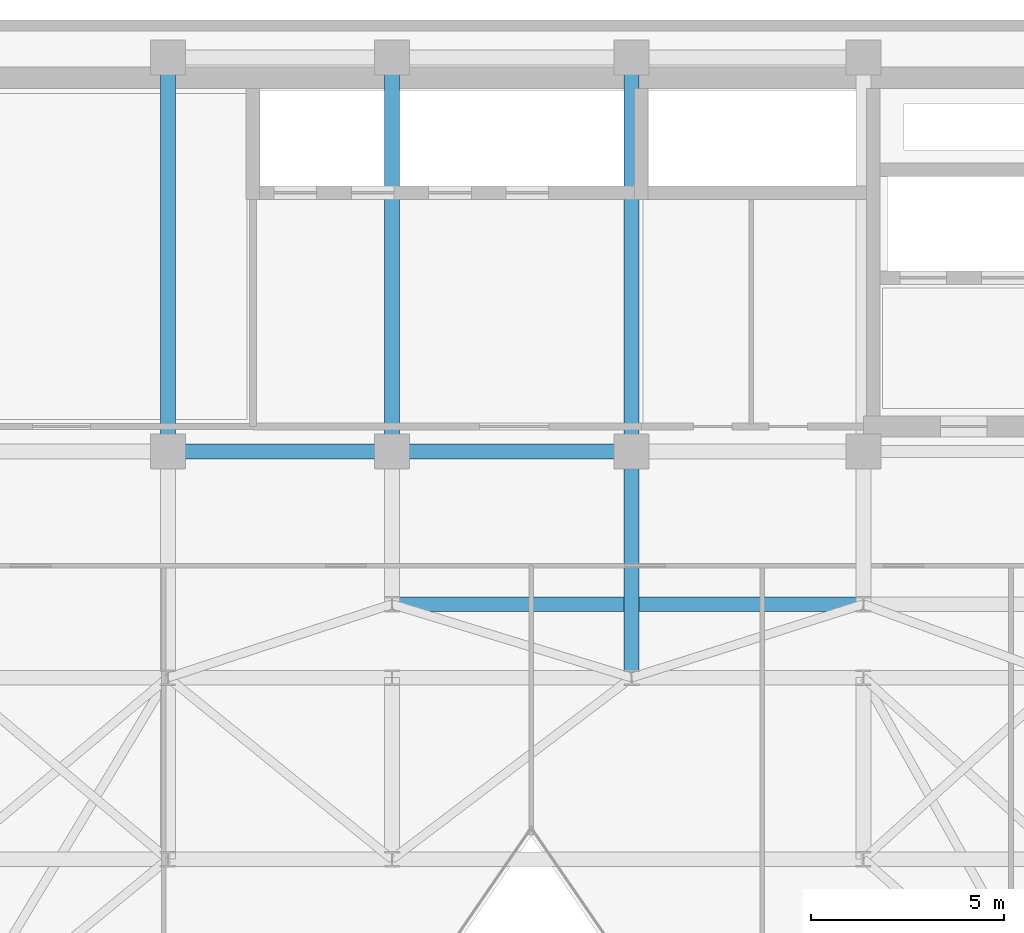
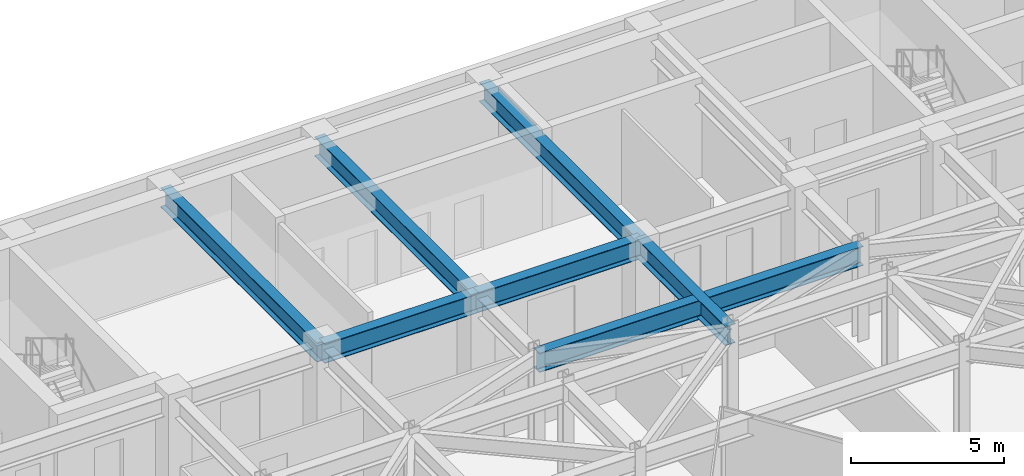
# One storey, part 15 of 26: 7 beams.
"""IFC4 building model written with IfcOpenShell, lengths in metres."""

from ifc_helpers import new_model, si_unit, direction, frame, origin, origin_2d, place, context, subcontext, project, spatial, i_section, extrude, material, material_profile, profile_set, type_object, element, save


model = new_model("IFC4")

# Units and contexts
model_context = context("Model", 3, precision=1e-05, world=origin(), true_north=direction((0.0, 1.0)))
body_context = subcontext(model_context, "Body", "Model", "MODEL_VIEW")
ifc_project = project(units=[si_unit("LENGTHUNIT", "METRE"), si_unit("AREAUNIT", "SQUARE_METRE"), si_unit("VOLUMEUNIT", "CUBIC_METRE"), si_unit("PLANEANGLEUNIT", "RADIAN"), si_unit("MASSUNIT", "GRAM", prefix="KILO")], contexts=[model_context])

# Site, building, storey
site_placement = place(None, origin())
site = spatial("IfcSite", under=ifc_project, at=site_placement, CompositionType="ELEMENT")
building_placement = place(site_placement, origin())
building = spatial("IfcBuilding", under=site, at=building_placement, Name="Kravanh Interchange Tower", CompositionType="ELEMENT")
storey_placement = place(building_placement, frame((0.0, 0.0, 212.5)))
storey = spatial("IfcBuildingStorey", under=building, at=storey_placement, Name="L51", CompositionType="ELEMENT", Elevation=212.5)

# Beams
ifc_material = material(Name="Structural Steel S355", Category="steel")
ifc_material_profile = material_profile(ifc_material, i_section(OverallWidth=0.381103515625, OverallDepth=0.77294921875, WebThickness=0.0166015625, FlangeThickness=0.027099609375, FilletRadius=0.02490234375, at=origin_2d()), Name="W30X173")
ifc_profile_set = profile_set([ifc_material_profile], Name="Structural Steel S355")
beam_type = type_object("IfcBeamType", Name="Floor Beam W30X173 Structural Steel S355", PredefinedType="BEAM", material=ifc_profile_set)
beam_1_placement = place(storey_placement, frame((44.800048828125, 37.35009765625, 3.368408203125), z_axis=(0.0, -1.0, 0.0), x_axis=(1.0, 0.0, 0.0)))
element("IfcBeam", 1, at=beam_1_placement, inside=storey, type_object=beam_type, Name="L51 Primary Floor Girder 12", PredefinedType="BEAM", context=body_context, shape_type="SweptSolid", body=[
    extrude(i_section(OverallWidth=0.381103515625, OverallDepth=0.77294921875, WebThickness=0.0166015625, FlangeThickness=0.027099609375, FilletRadius=0.02490234375, at=origin_2d()), origin(), (0.0, 0.0, 1.0), 5.85009765625),
])
beam_2_placement = place(storey_placement, frame((44.800048828125, 37.35009765625, 3.368408203125), z_axis=(-1.0, 0.0, 0.0), x_axis=(0.0, -1.0, 0.0)))
element("IfcBeam", 2, at=beam_2_placement, inside=storey, type_object=beam_type, Name="L51 Primary Floor Girder 13", PredefinedType="BEAM", context=body_context, shape_type="SweptSolid", body=[
    extrude(i_section(OverallWidth=0.381103515625, OverallDepth=0.77294921875, WebThickness=0.0166015625, FlangeThickness=0.027099609375, FilletRadius=0.02490234375, at=origin_2d()), origin(), (0.0, 0.0, 1.0), 6.199951171875),
])
beam_3_placement = place(storey_placement, frame((44.800048828125, 37.35009765625, 3.368408203125), z_axis=(0.0, 1.0, 0.0), x_axis=(-1.0, 0.0, 0.0)))
element("IfcBeam", 3, at=beam_3_placement, inside=storey, type_object=beam_type, Name="L51 Primary Floor Girder 14", PredefinedType="BEAM", context=body_context, shape_type="SweptSolid", body=[
    extrude(i_section(OverallWidth=0.381103515625, OverallDepth=0.77294921875, WebThickness=0.0166015625, FlangeThickness=0.027099609375, FilletRadius=0.02490234375, at=origin_2d()), origin(), (0.0, 0.0, 1.0), 10.199951171875),
])
beam_4_placement = place(storey_placement, frame((38.60009765625, 37.35009765625, 3.368408203125), z_axis=(-1.0, 0.0, 0.0), x_axis=(0.0, -1.0, 0.0)))
element("IfcBeam", 4, at=beam_4_placement, inside=storey, type_object=beam_type, Name="L51 Primary Floor Girder 17", PredefinedType="BEAM", context=body_context, shape_type="SweptSolid", body=[
    extrude(i_section(OverallWidth=0.381103515625, OverallDepth=0.77294921875, WebThickness=0.0166015625, FlangeThickness=0.027099609375, FilletRadius=0.02490234375, at=origin_2d()), origin(), (0.0, 0.0, 1.0), 5.800048828125),
])
for number, where, z_axis, x_axis, name in (
    (5, (38.60009765625, 37.35009765625, 3.368408203125), (0.0, 1.0, 0.0), (-1.0, 0.0, 0.0), "L51 Primary Floor Girder 18"),
    (6, (32.800048828125, 37.35009765625, 3.368408203125), (0.0, 1.0, 0.0), (-1.0, 0.0, 0.0), "L51 Primary Floor Girder 22"),
):
    element("IfcBeam", number, at=place(storey_placement, frame(where, z_axis=z_axis, x_axis=x_axis)), inside=storey, type_object=beam_type, Name=name, PredefinedType="BEAM", context=body_context, shape_type="SweptSolid", body=[
        extrude(i_section(OverallWidth=0.381103515625, OverallDepth=0.77294921875, WebThickness=0.0166015625, FlangeThickness=0.027099609375, FilletRadius=0.02490234375, at=origin_2d()), origin(), (0.0, 0.0, 1.0), 10.199951171875),
    ])
beam_5_placement = place(storey_placement, frame((38.60009765625, 33.39990234375, 3.368408203125), z_axis=(1.0, 0.0, 0.0), x_axis=(0.0, 1.0, 0.0)))
element("IfcBeam", 7, at=beam_5_placement, inside=storey, type_object=beam_type, Name="L51 Primary Floor Girder 94", PredefinedType="BEAM", context=body_context, shape_type="SweptSolid", body=[
    extrude(i_section(OverallWidth=0.381103515625, OverallDepth=0.77294921875, WebThickness=0.0166015625, FlangeThickness=0.027099609375, FilletRadius=0.02490234375, at=origin_2d()), origin(), (0.0, 0.0, 1.0), 12.199951171875),
])

save(model, "model.ifc")
